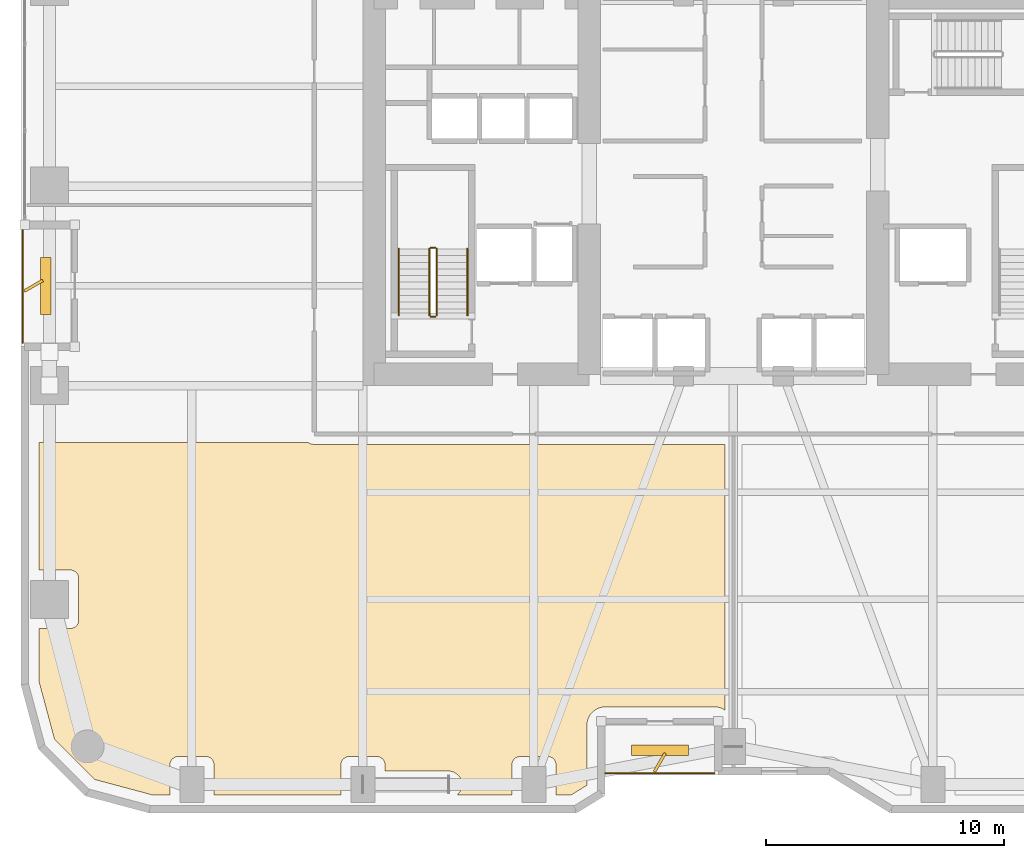
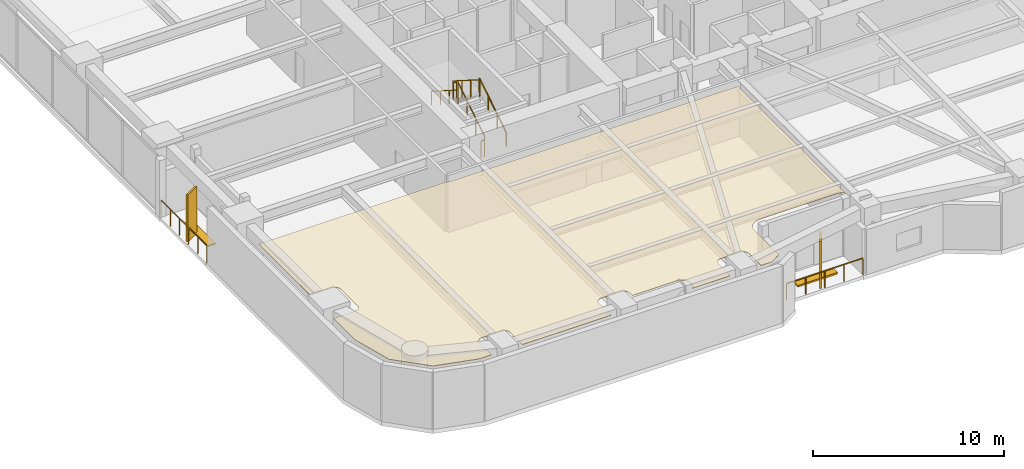
# One storey, part 26 of 29: 8 railings, 4 shading devices, 1 covering.
"""IFC4 building model written with IfcOpenShell, lengths in metres."""

from ifc_helpers import new_model, si_unit, direction, frame, origin, origin_2d, place, context, subcontext, project, spatial, polyline, rectangle, outline, extrude, material, layer, layer_set, type_object, element, save


model = new_model("IFC4")

# Units and contexts
model_context = context("Model", 3, precision=1e-05, world=origin(), true_north=direction((0.0, 1.0)))
body_context = subcontext(model_context, "Body", "Model", "MODEL_VIEW")
ifc_project = project(units=[si_unit("LENGTHUNIT", "METRE"), si_unit("AREAUNIT", "SQUARE_METRE"), si_unit("VOLUMEUNIT", "CUBIC_METRE"), si_unit("PLANEANGLEUNIT", "RADIAN"), si_unit("MASSUNIT", "GRAM", prefix="KILO")], contexts=[model_context])

# Site, building, storey
site_placement = place(None, origin())
site = spatial("IfcSite", under=ifc_project, at=site_placement, CompositionType="ELEMENT")
building_placement = place(site_placement, origin())
building = spatial("IfcBuilding", under=site, at=building_placement, Name="Kiyonajd Concourse Tower", CompositionType="ELEMENT")
storey_placement = place(building_placement, frame((0.0, 0.0, 29.39990234375)))
storey = spatial("IfcBuildingStorey", under=building, at=storey_placement, Name="L08", CompositionType="ELEMENT", Elevation=29.39990234375)

# Covering
ifc_material_1 = material(Name="Natural Oak Acoustic Timber Veneer", Category="wood")
ifc_layer = layer(ifc_material_1, 0.0400390625)
ifc_layer_set = layer_set([ifc_layer], Name="Natural Oak Acoustic Timber Veneer")
covering_type = type_object("IfcCoveringType", Name="CV-CLG-ACST", PredefinedType="CEILING", material=ifc_layer_set)
covering_placement = place(storey_placement, frame((0.0, 0.0, 3.460205078125)))
element("IfcCovering", 1, at=covering_placement, inside=storey, type_object=covering_type, Name="L08-38 Room Acoustic Ceiling", PredefinedType="CEILING", context=body_context, shape_type="SweptSolid", body=[
    extrude(outline(polyline([(30.10205078125, 25.199951171875), (30.156982421875, 25.166015625), (30.219970703125, 25.139892578125), (30.35009765625, 25.1201171875), (47.64990234375, 25.1201171875), (47.64990234375, 13.924072265625), (47.528076171875, 13.99609375), (47.43994140625, 14.031005859375), (47.3330078125, 14.05810546875), (47.240966796875, 14.068115234375), (42.60009765625, 14.070068359375), (42.43310546875, 14.052001953125), (42.321044921875, 14.01708984375), (42.2490234375, 13.985107421875), (42.09912109375, 13.885009765625), (42.014892578125, 13.801025390625), (41.968017578125, 13.739013671875), (41.883056640625, 13.5791015625), (41.85791015625, 13.507080078125), (41.8359375, 13.39208984375), (41.830078125, 10.76904296875), (41.181884765625, 10.3701171875), (40.530029296875, 10.3701171875), (40.530029296875, 11.6298828125), (40.52294921875, 11.697998046875), (40.489013671875, 11.794921875), (40.450927734375, 11.85205078125), (40.402099609375, 11.90087890625), (40.344970703125, 11.93896484375), (40.281982421875, 11.965087890625), (40.179931640625, 11.97998046875), (38.986083984375, 11.97802734375), (38.885986328125, 11.952880859375), (38.825927734375, 11.9208984375), (38.77294921875, 11.876953125), (38.72900390625, 11.823974609375), (38.697021484375, 11.763916015625), (38.672119140625, 11.6640625), (38.669921875, 10.3701171875), (36.3740234375, 10.3701171875), (36.4609375, 10.466064453125), (36.501953125, 10.530029296875), (36.532958984375, 10.59912109375), (36.56396484375, 10.72509765625), (36.570068359375, 10.800048828125), (36.56396484375, 10.875), (36.532958984375, 11.0009765625), (36.501953125, 11.070068359375), (36.4609375, 11.134033203125), (36.362060546875, 11.240966796875), (36.240966796875, 11.31591796875), (36.12890625, 11.35498046875), (36.02197265625, 11.368896484375), (33.330078125, 11.3701171875), (33.327880859375, 11.6640625), (33.31494140625, 11.73193359375), (33.2890625, 11.794921875), (33.22705078125, 11.876953125), (33.14501953125, 11.93896484375), (33.08203125, 11.965087890625), (32.97998046875, 11.97998046875), (31.785888671875, 11.97802734375), (31.718017578125, 11.965087890625), (31.655029296875, 11.93896484375), (31.572998046875, 11.876953125), (31.510986328125, 11.794921875), (31.485107421875, 11.73193359375), (31.471923828125, 11.6640625), (31.469970703125, 10.3701171875), (26.1298828125, 10.3701171875), (26.1298828125, 11.6298828125), (26.123046875, 11.697998046875), (26.089111328125, 11.794921875), (26.051025390625, 11.85205078125), (26.001953125, 11.90087890625), (25.9140625, 11.952880859375), (25.81396484375, 11.97802734375), (24.5859375, 11.97802734375), (24.51806640625, 11.965087890625), (24.455078125, 11.93896484375), (24.373046875, 11.876953125), (24.31103515625, 11.794921875), (24.284912109375, 11.73193359375), (24.27197265625, 11.6640625), (24.27001953125, 10.3701171875), (23.5009765625, 10.3701171875), (21.097900390625, 11.013916015625), (19.4140625, 12.697998046875), (18.77001953125, 15.10107421875), (18.77001953125, 17.3701171875), (20.080078125, 17.3701171875), (20.14794921875, 17.376953125), (20.2451171875, 17.410888671875), (20.302001953125, 17.448974609375), (20.35107421875, 17.498046875), (20.388916015625, 17.554931640625), (20.4150390625, 17.617919921875), (20.429931640625, 17.719970703125), (20.429931640625, 19.47998046875), (20.4150390625, 19.58203125), (20.388916015625, 19.64501953125), (20.35107421875, 19.701904296875), (20.302001953125, 19.7509765625), (20.2451171875, 19.7890625), (20.181884765625, 19.81494140625), (20.114013671875, 19.827880859375), (18.77001953125, 19.830078125), (18.77001953125, 25.199951171875), (30.10205078125, 25.199951171875)])), origin(), (0.0, 0.0, 1.0), 0.039794921875),
])

# Railings
ifc_material_2 = material(Name="Thermally Broken Anodised Aluminium", Category="aluminium")
railing_type_1 = type_object("IfcRailingType", Name="RL-GRD-LOG", PredefinedType="GUARDRAIL", material=ifc_material_2)
railing_1_placement = place(storey_placement, frame((42.60009765625, 11.280029296875, 0.0)))
element("IfcRailing", 2, at=railing_1_placement, inside=storey, type_object=railing_type_1, Name="L08 Engawa Loggia Perimeter Guard LOG-S", PredefinedType="GUARDRAIL", context=body_context, shape_type="SweptSolid", body=[
    extrude(rectangle(XDim=0.048095703125, YDim=0.048095703125, at=origin_2d()), frame((0.0, 0.0, 1.076171875), z_axis=(1.0, 0.0, 0.0), x_axis=(0.0, 1.0, 0.0)), (0.0, 0.0, 1.0), 4.599853515625),
    extrude(rectangle(XDim=0.0419921875, YDim=0.0419921875, at=origin_2d()), origin(), (0.0, 0.0, 1.0), 1.052001953125),
    extrude(rectangle(XDim=0.0419921875, YDim=0.0419921875, at=origin_2d()), frame((1.14990234375, 0.0, 0.0)), (0.0, 0.0, 1.0), 1.052001953125),
    extrude(rectangle(XDim=0.0419921875, YDim=0.0419921875, at=origin_2d()), frame((2.2998046875, 0.0, 0.0)), (0.0, 0.0, 1.0), 1.052001953125),
    extrude(rectangle(XDim=0.0419921875, YDim=0.0419921875, at=origin_2d()), frame((3.449951171875, 0.0, 0.0)), (0.0, 0.0, 1.0), 1.052001953125),
    extrude(rectangle(XDim=0.0419921875, YDim=0.0419921875, at=origin_2d()), frame((4.599853515625, 0.0, 0.0)), (0.0, 0.0, 1.0), 1.052001953125),
])
railing_2_placement = place(storey_placement, frame((18.080078125, 34.199951171875, 0.0)))
element("IfcRailing", 3, at=railing_2_placement, inside=storey, type_object=railing_type_1, Name="L08 Engawa Loggia Perimeter Guard LOG-W", PredefinedType="GUARDRAIL", context=body_context, shape_type="SweptSolid", body=[
    extrude(rectangle(XDim=0.048095703125, YDim=0.048095703125, at=origin_2d()), frame((0.0, 0.0, 1.076171875), z_axis=(0.0, -1.0, 0.0), x_axis=(1.0, 0.0, 0.0)), (0.0, 0.0, 1.0), 4.800048828125),
    extrude(rectangle(XDim=0.0419921875, YDim=0.0419921875, at=origin_2d()), origin(), (0.0, 0.0, 1.0), 1.052001953125),
    extrude(rectangle(XDim=0.0419921875, YDim=0.0419921875, at=origin_2d()), frame((0.0, -0.9599609375, 0.0)), (0.0, 0.0, 1.0), 1.052001953125),
    extrude(rectangle(XDim=0.0419921875, YDim=0.0419921875, at=origin_2d()), frame((0.0, -1.919921875, 0.0)), (0.0, 0.0, 1.0), 1.052001953125),
    extrude(rectangle(XDim=0.0419921875, YDim=0.0419921875, at=origin_2d()), frame((0.0, -2.880126953125, 0.0)), (0.0, 0.0, 1.0), 1.052001953125),
    extrude(rectangle(XDim=0.0419921875, YDim=0.0419921875, at=origin_2d()), frame((0.0, -3.840087890625, 0.0)), (0.0, 0.0, 1.0), 1.052001953125),
    extrude(rectangle(XDim=0.0419921875, YDim=0.0419921875, at=origin_2d()), frame((0.0, -4.800048828125, 0.0)), (0.0, 0.0, 1.0), 1.052001953125),
])
ifc_material_3 = material(Name="Steel ASTM A500 Grade C", Category="steel")
railing_type_2 = type_object("IfcRailingType", Name="RL-GRD-STR", PredefinedType="GUARDRAIL", material=ifc_material_3)
railing_3_placement = place(storey_placement, frame((35.5, 30.550048828125, 0.177490234375)))
element("IfcRailing", 4, at=railing_3_placement, inside=storey, type_object=railing_type_2, Name="L08 ST1 stair guard 1", PredefinedType="GUARDRAIL", context=body_context, shape_type="SweptSolid", body=[
    extrude(rectangle(XDim=0.048095703125, YDim=0.048095703125, at=origin_2d()), frame((0.0, 0.0, 1.076171875), z_axis=(0.0, 0.844908973607, 0.534910110503), x_axis=(-1.0, 0.0, 0.0)), (0.0, 0.0, 1.0), 3.31396484375),
    extrude(rectangle(XDim=0.0419921875, YDim=0.0419921875, at=origin_2d()), origin(), (0.0, 0.0, 1.0), 1.052001953125),
    extrude(rectangle(XDim=0.0419921875, YDim=0.0419921875, at=origin_2d()), frame((0.0, 0.933349609375, 0.5908203125)), (0.0, 0.0, 1.0), 1.052001953125),
    extrude(rectangle(XDim=0.0419921875, YDim=0.0419921875, at=origin_2d()), frame((0.0, 1.86669921875, 1.181884765625)), (0.0, 0.0, 1.0), 1.052001953125),
    extrude(rectangle(XDim=0.0419921875, YDim=0.0419921875, at=origin_2d()), frame((0.0, 2.800048828125, 1.772705078125)), (0.0, 0.0, 1.0), 1.052001953125),
])
railing_4_placement = place(storey_placement, frame((35.449951171875, 33.39990234375, 1.9501953125)))
element("IfcRailing", 5, at=railing_4_placement, inside=storey, type_object=railing_type_2, Name="L08 ST1 stair guard 2", PredefinedType="GUARDRAIL", context=body_context, shape_type="SweptSolid", body=[
    extrude(rectangle(XDim=0.048095703125, YDim=0.048095703125, at=origin_2d()), frame((0.0, 0.0, 1.076171875), z_axis=(-1.0, 0.0, 0.0), x_axis=(0.0, -1.0, 0.0)), (0.0, 0.0, 1.0), 0.199951171875),
    extrude(rectangle(XDim=0.0419921875, YDim=0.0419921875, at=origin_2d()), origin(), (0.0, 0.0, 1.0), 1.052001953125),
    extrude(rectangle(XDim=0.0419921875, YDim=0.0419921875, at=origin_2d()), frame((-0.199951171875, 0.0, 0.0)), (0.0, 0.0, 1.0), 1.052001953125),
])
railing_5_placement = place(storey_placement, frame((35.199951171875, 33.35009765625, 2.12744140625)))
element("IfcRailing", 6, at=railing_5_placement, inside=storey, type_object=railing_type_2, Name="L08 ST1 stair guard 3", PredefinedType="GUARDRAIL", context=body_context, shape_type="SweptSolid", body=[
    extrude(rectangle(XDim=0.048095703125, YDim=0.048095703125, at=origin_2d()), frame((0.0, 0.0, 1.076171875), z_axis=(0.0, -0.844908973607, 0.534910110503), x_axis=(1.0, 0.0, 0.0)), (0.0, 0.0, 1.0), 3.31396484375),
    extrude(rectangle(XDim=0.0419921875, YDim=0.0419921875, at=origin_2d()), origin(), (0.0, 0.0, 1.0), 1.052001953125),
    extrude(rectangle(XDim=0.0419921875, YDim=0.0419921875, at=origin_2d()), frame((0.0, -0.933349609375, 0.5908203125)), (0.0, 0.0, 1.0), 1.052001953125),
    extrude(rectangle(XDim=0.0419921875, YDim=0.0419921875, at=origin_2d()), frame((0.0, -1.86669921875, 1.181884765625)), (0.0, 0.0, 1.0), 1.052001953125),
    extrude(rectangle(XDim=0.0419921875, YDim=0.0419921875, at=origin_2d()), frame((0.0, -2.800048828125, 1.772705078125)), (0.0, 0.0, 1.0), 1.052001953125),
])
railing_6_placement = place(storey_placement, frame((35.449951171875, 30.5, 0.0)))
element("IfcRailing", 7, at=railing_6_placement, inside=storey, type_object=railing_type_2, Name="L08 ST1 stair guard 4", PredefinedType="GUARDRAIL", context=body_context, shape_type="SweptSolid", body=[
    extrude(rectangle(XDim=0.048095703125, YDim=0.048095703125, at=origin_2d()), frame((0.0, 0.0, 1.076171875), z_axis=(-1.0, 0.0, 0.0), x_axis=(0.0, -1.0, 0.0)), (0.0, 0.0, 1.0), 0.199951171875),
    extrude(rectangle(XDim=0.0419921875, YDim=0.0419921875, at=origin_2d()), origin(), (0.0, 0.0, 1.0), 1.052001953125),
    extrude(rectangle(XDim=0.0419921875, YDim=0.0419921875, at=origin_2d()), frame((-0.199951171875, 0.0, 0.0)), (0.0, 0.0, 1.0), 1.052001953125),
])
ifc_material_4 = material(Name="Brushed Stainless Steel Cab Assembly", Category="steel")
railing_type_3 = type_object("IfcRailingType", Name="RL-HND-900", PredefinedType="HANDRAIL", material=ifc_material_4)
railing_7_placement = place(storey_placement, frame((36.800048828125, 30.550048828125, 0.177490234375)))
element("IfcRailing", 8, at=railing_7_placement, inside=storey, type_object=railing_type_3, Name="L08 ST1 stair handrail 1", PredefinedType="HANDRAIL", context=body_context, shape_type="SweptSolid", body=[
    extrude(rectangle(XDim=0.048095703125, YDim=0.048095703125, at=origin_2d()), frame((0.0, 0.0, 0.8759765625), z_axis=(0.0, 0.844908973607, 0.534910110503), x_axis=(-1.0, 0.0, 0.0)), (0.0, 0.0, 1.0), 3.31396484375),
    extrude(rectangle(XDim=0.0419921875, YDim=0.0419921875, at=origin_2d()), origin(), (0.0, 0.0, 1.0), 0.851806640625),
    extrude(rectangle(XDim=0.0419921875, YDim=0.0419921875, at=origin_2d()), frame((0.0, 0.933349609375, 0.5908203125)), (0.0, 0.0, 1.0), 0.851806640625),
    extrude(rectangle(XDim=0.0419921875, YDim=0.0419921875, at=origin_2d()), frame((0.0, 1.86669921875, 1.181884765625)), (0.0, 0.0, 1.0), 0.851806640625),
    extrude(rectangle(XDim=0.0419921875, YDim=0.0419921875, at=origin_2d()), frame((0.0, 2.800048828125, 1.772705078125)), (0.0, 0.0, 1.0), 0.851806640625),
])
railing_8_placement = place(storey_placement, frame((33.89990234375, 33.35009765625, 2.12744140625)))
element("IfcRailing", 9, at=railing_8_placement, inside=storey, type_object=railing_type_3, Name="L08 ST1 stair handrail 2", PredefinedType="HANDRAIL", context=body_context, shape_type="SweptSolid", body=[
    extrude(rectangle(XDim=0.048095703125, YDim=0.048095703125, at=origin_2d()), frame((0.0, 0.0, 0.8759765625), z_axis=(0.0, -0.844908973607, 0.534910110503), x_axis=(1.0, 0.0, 0.0)), (0.0, 0.0, 1.0), 3.31396484375),
    extrude(rectangle(XDim=0.0419921875, YDim=0.0419921875, at=origin_2d()), origin(), (0.0, 0.0, 1.0), 0.851806640625),
    extrude(rectangle(XDim=0.0419921875, YDim=0.0419921875, at=origin_2d()), frame((0.0, -0.933349609375, 0.5908203125)), (0.0, 0.0, 1.0), 0.851806640625),
    extrude(rectangle(XDim=0.0419921875, YDim=0.0419921875, at=origin_2d()), frame((0.0, -1.86669921875, 1.181884765625)), (0.0, 0.0, 1.0), 0.851806640625),
    extrude(rectangle(XDim=0.0419921875, YDim=0.0419921875, at=origin_2d()), frame((0.0, -2.800048828125, 1.772705078125)), (0.0, 0.0, 1.0), 0.851806640625),
])

# Shading devices
ifc_material_5 = material(Name="Precast concrete C50/60", Category="concrete")
shading_device_type_1 = type_object("IfcShadingDeviceType", Name="SH-FIN-900", PredefinedType="USERDEFINED", material=ifc_material_5)
for number, where, z_axis, x_axis, name in (
    (10, (44.89990234375, 11.72998046875, 0.0), (0.0, 0.0, 1.0), (0.5, 0.866025403784, 0.0), "L08 Angled Koshi Solar Fin LOG-S"),
    (11, (18.530029296875, 31.800048828125, 0.0), (0.0, 0.0, 1.0), (0.866025403784, 0.5, 0.0), "L08 Angled Koshi Solar Fin LOG-W"),
):
    element("IfcShadingDevice", number, at=place(storey_placement, frame(where, z_axis=z_axis, x_axis=x_axis)), inside=storey, type_object=shading_device_type_1, Name=name, ObjectType="FIN", PredefinedType="USERDEFINED", context=body_context, shape_type="SweptSolid", body=[
        extrude(rectangle(XDim=0.89990234375, YDim=0.1201171875, at=origin_2d()), origin(), (0.0, 0.0, 1.0), 3.0),
    ])
shading_device_type_2 = type_object("IfcShadingDeviceType", Name="SH-LVR-600", PredefinedType="JALOUSIE", material=ifc_material_2)
for number, where, z_axis, x_axis, name in (
    (12, (44.89990234375, 12.25, 0.0), (0.0, 0.0, 1.0), (1.0, 0.0, 0.0), "L08 Loggia Threshold Louver LOG-S"),
    (13, (19.050048828125, 31.800048828125, 0.0), (0.0, 0.0, 1.0), (0.0, 1.0, 0.0), "L08 Loggia Threshold Louver LOG-W"),
):
    element("IfcShadingDevice", number, at=place(storey_placement, frame(where, z_axis=z_axis, x_axis=x_axis)), inside=storey, type_object=shading_device_type_2, Name=name, PredefinedType="JALOUSIE", context=body_context, shape_type="SweptSolid", body=[
        extrude(rectangle(XDim=2.39990234375, YDim=0.449951171875, at=origin_2d()), origin(), (0.0, 0.0, 1.0), 0.10009765625),
    ])

save(model, "model.ifc")
